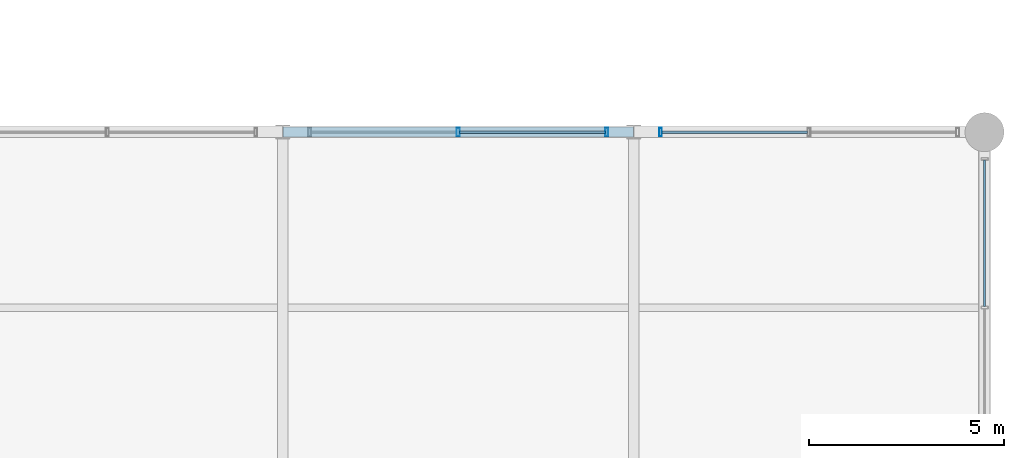
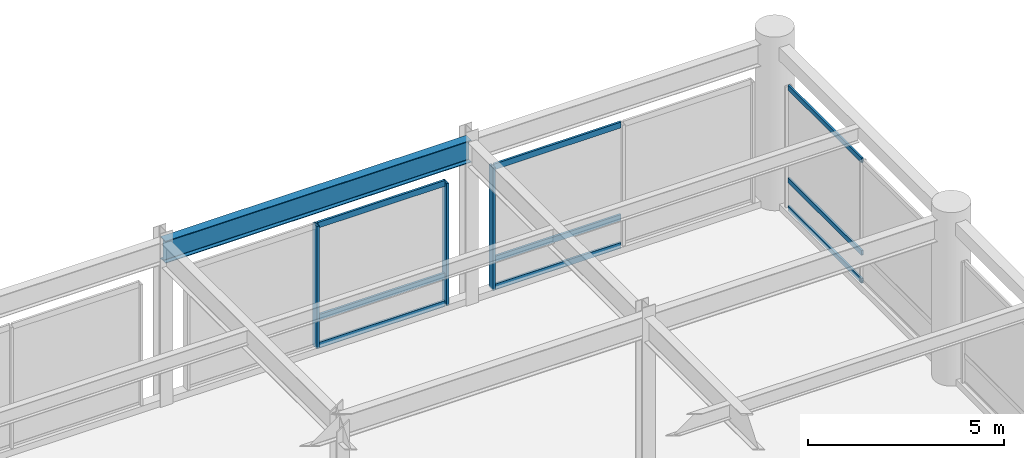
# One storey, part 55 of 100: 12 members, 1 beam, 3 elements without a shape of their own.
"""IFC4 building model written with IfcOpenShell, lengths in metres."""

from ifc_helpers import new_model, si_unit, direction, frame, origin, origin_2d, place, context, subcontext, project, spatial, hollow_rectangle, i_section, extrude, material, material_profile, profile_set, type_object, element, aggregate, save


model = new_model("IFC4")

# Units and contexts
model_context = context("Model", 3, precision=1e-05, world=origin(), true_north=direction((0.0, 1.0)))
body_context = subcontext(model_context, "Body", "Model", "MODEL_VIEW")
ifc_project = project(units=[si_unit("LENGTHUNIT", "METRE"), si_unit("AREAUNIT", "SQUARE_METRE"), si_unit("VOLUMEUNIT", "CUBIC_METRE"), si_unit("PLANEANGLEUNIT", "RADIAN"), si_unit("MASSUNIT", "GRAM", prefix="KILO")], contexts=[model_context])

# Site, building, storey
site_placement = place(None, origin())
site = spatial("IfcSite", under=ifc_project, at=site_placement, CompositionType="ELEMENT")
building_placement = place(site_placement, origin())
building = spatial("IfcBuilding", under=site, at=building_placement, Name="Kaldorvane Square Convention Centre", CompositionType="ELEMENT")
storey_placement = place(building_placement, frame((0.0, 0.0, 18.0)))
storey = spatial("IfcBuildingStorey", under=building, at=storey_placement, Name="L03", CompositionType="ELEMENT", Elevation=18.0)

# Beam
ifc_material_1 = material(Name="Steel ASTM A992 Gr. 50", Category="steel")
ifc_material_profile_1 = material_profile(ifc_material_1, i_section(OverallWidth=0.25439453125, OverallDepth=0.6880950927734375, WebThickness=0.0131072998046875, FlangeThickness=0.0211029052734375, FilletRadius=0.01519775390625, at=origin_2d()), Name="W27X102")
ifc_profile_set_1 = profile_set([ifc_material_profile_1], Name="Steel ASTM A992 Gr. 50")
beam_type = type_object("IfcBeamType", Name="BM-GR-W27X102", PredefinedType="BEAM", material=ifc_profile_set_1)
beam_placement = place(storey_placement, frame((156.0, 36.0, 4.731903076171875), z_axis=(1.0, 0.0, 0.0), x_axis=(0.0, 1.0, 0.0)))
element("IfcBeam", 1, at=beam_placement, inside=storey, type_object=beam_type, Name="Primary Girder (L03)", PredefinedType="BEAM", context=body_context, shape_type="SweptSolid", body=[
    extrude(i_section(OverallWidth=0.25439453125, OverallDepth=0.6880950927734375, WebThickness=0.0131072998046875, FlangeThickness=0.0211029052734375, FilletRadius=0.01519775390625, at=origin_2d()), origin(), (0.0, 0.0, 1.0), 9.0),
])

# Curtain wall, members
ifc_material_2 = material(Name="Anodized Aluminum and Low-E Insulated Glazing", Category="aluminium")
curtain_wall_type_1 = type_object("IfcCurtainWallType", Name="CW-PTS-FC-54", PredefinedType="USERDEFINED", material=ifc_material_2)
curtain_wall_1_placement = place(storey_placement, origin())
curtain_wall_1 = element("IfcCurtainWall", 2, at=curtain_wall_1_placement, inside=storey, type_object=curtain_wall_type_1, Name="Curtain Wall CW-08 (L03)", ObjectType="POINT SUPPORTED GLAZING", PredefinedType="USERDEFINED")
ifc_material_profile_2 = material_profile(ifc_material_2, hollow_rectangle(XDim=0.0749969482421875, YDim=0.220001220703125, WallThickness=0.003997802734375, at=origin_2d()), Name="CWM-220X75")
ifc_profile_set_2 = profile_set([ifc_material_profile_2], Name="Anodized Aluminum and Low-E Insulated Glazing")
member_type_1 = type_object("IfcMemberType", Name="CW-MUL-220", PredefinedType="MULLION", material=ifc_profile_set_2)
member_1_placement = place(storey_placement, frame((164.3125, 36.0, 0.149993896484375), z_axis=(0.0, 0.0, 1.0), x_axis=(-1.0, 0.0, 0.0)))
member_1 = element("IfcMember", 3, at=member_1_placement, type_object=member_type_1, Name="CW-08 mullion 1", PredefinedType="MULLION", context=body_context, shape_type="SweptSolid", body=[
    extrude(hollow_rectangle(XDim=0.0749969482421875, YDim=0.220001220703125, WallThickness=0.003997802734375, at=origin_2d()), origin(), (0.0, 0.0, 1.0), 3.8100128173828125),
])
member_2_placement = place(storey_placement, frame((160.5, 36.0, 0.149993896484375), z_axis=(0.0, 0.0, 1.0), x_axis=(-1.0, 0.0, 0.0)))
member_2 = element("IfcMember", 4, at=member_2_placement, type_object=member_type_1, Name="CW-08 mullion 2", PredefinedType="MULLION", context=body_context, shape_type="SweptSolid", body=[
    extrude(hollow_rectangle(XDim=0.0749969482421875, YDim=0.220001220703125, WallThickness=0.003997802734375, at=origin_2d()), origin(), (0.0, 0.0, 1.0), 3.8100128173828125),
])

# Curtain wall, member
curtain_wall_2_placement = place(storey_placement, origin())
curtain_wall_2 = element("IfcCurtainWall", 5, at=curtain_wall_2_placement, inside=storey, type_object=curtain_wall_type_1, Name="Curtain Wall CW-08 (L03)", ObjectType="POINT SUPPORTED GLAZING", PredefinedType="USERDEFINED")
member_3_placement = place(storey_placement, frame((165.6875, 36.0, 0.149993896484375), z_axis=(0.0, 0.0, 1.0), x_axis=(-1.0, 0.0, 0.0)))
member_3 = element("IfcMember", 6, at=member_3_placement, type_object=member_type_1, Name="CW-08 mullion 3", PredefinedType="MULLION", context=body_context, shape_type="SweptSolid", body=[
    extrude(hollow_rectangle(XDim=0.0749969482421875, YDim=0.220001220703125, WallThickness=0.003997802734375, at=origin_2d()), origin(), (0.0, 0.0, 1.0), 3.8100128173828125),
])

# Curtain wall, members
curtain_wall_type_2 = type_object("IfcCurtainWallType", Name="CW-UNI-P54-09", PredefinedType="USERDEFINED", material=ifc_material_2)
curtain_wall_3_placement = place(storey_placement, origin())
curtain_wall_3 = element("IfcCurtainWall", 7, at=curtain_wall_3_placement, inside=storey, type_object=curtain_wall_type_2, Name="Curtain Wall CW-04 (L03)", ObjectType="UNITISED GLAZING", PredefinedType="USERDEFINED")
ifc_material_profile_3 = material_profile(ifc_material_2, hollow_rectangle(XDim=0.05999755859375, YDim=0.149993896484375, WallThickness=0.003204345703125, at=origin_2d()), Name="CWT-150X60")
ifc_profile_set_3 = profile_set([ifc_material_profile_3], Name="Anodized Aluminum and Low-E Insulated Glazing")
member_type_2 = type_object("IfcMemberType", Name="CW-TRN-150", PredefinedType="USERDEFINED", material=ifc_profile_set_3)
member_4_placement = place(storey_placement, frame((174.0, 31.532501220703125, 0.17999267578125), z_axis=(0.0, 1.0, 0.0), x_axis=(-1.0, 0.0, 0.0)))
member_4 = element("IfcMember", 8, at=member_4_placement, type_object=member_type_2, Name="CW-04 transom 2.1", ObjectType="TRANSOM", PredefinedType="USERDEFINED", context=body_context, shape_type="SweptSolid", body=[
    extrude(hollow_rectangle(XDim=0.05999755859375, YDim=0.149993896484375, WallThickness=0.003204345703125, at=origin_2d()), origin(), (0.0, 0.0, 1.0), 3.75250244140625),
])
member_5_placement = place(storey_placement, frame((174.0, 31.532501220703125, 1.0500030517578125), z_axis=(0.0, 1.0, 0.0), x_axis=(-1.0, 0.0, 0.0)))
member_5 = element("IfcMember", 9, at=member_5_placement, type_object=member_type_2, Name="CW-04 transom 2.2", ObjectType="TRANSOM", PredefinedType="USERDEFINED", context=body_context, shape_type="SweptSolid", body=[
    extrude(hollow_rectangle(XDim=0.05999755859375, YDim=0.149993896484375, WallThickness=0.003204345703125, at=origin_2d()), origin(), (0.0, 0.0, 1.0), 3.75250244140625),
])
member_6_placement = place(storey_placement, frame((174.0, 31.532501220703125, 3.92999267578125), z_axis=(0.0, 1.0, 0.0), x_axis=(-1.0, 0.0, 0.0)))
member_6 = element("IfcMember", 10, at=member_6_placement, type_object=member_type_2, Name="CW-04 transom 2.3", ObjectType="TRANSOM", PredefinedType="USERDEFINED", context=body_context, shape_type="SweptSolid", body=[
    extrude(hollow_rectangle(XDim=0.05999755859375, YDim=0.149993896484375, WallThickness=0.003204345703125, at=origin_2d()), origin(), (0.0, 0.0, 1.0), 3.75250244140625),
])
aggregate(curtain_wall_3, [member_4, member_5, member_6])

# Member
ifc_material_profile_4 = material_profile(ifc_material_2, hollow_rectangle(XDim=0.06500244140625, YDim=0.17999267578125, WallThickness=0.0034942626953125, at=origin_2d()), Name="CWT-180X65")
ifc_profile_set_4 = profile_set([ifc_material_profile_4], Name="Anodized Aluminum and Low-E Insulated Glazing")
member_type_3 = type_object("IfcMemberType", Name="CW-TRN-180", PredefinedType="USERDEFINED", material=ifc_profile_set_4)
member_7_placement = place(storey_placement, frame((164.27499389648438, 36.0, 0.1824951171875), z_axis=(-1.0, 0.0, 0.0), x_axis=(0.0, -1.0, 0.0)))
member_7 = element("IfcMember", 11, at=member_7_placement, type_object=member_type_3, Name="CW-08 transom 1.1", ObjectType="TRANSOM", PredefinedType="USERDEFINED", context=body_context, shape_type="SweptSolid", body=[
    extrude(hollow_rectangle(XDim=0.06500244140625, YDim=0.17999267578125, WallThickness=0.0034942626953125, at=origin_2d()), origin(), (0.0, 0.0, 1.0), 3.73748779296875),
])

member_8_placement = place(storey_placement, frame((164.27499389648438, 36.0, 1.0500030517578125), z_axis=(-1.0, 0.0, 0.0), x_axis=(0.0, -1.0, 0.0)))
member_8 = element("IfcMember", 12, at=member_8_placement, type_object=member_type_3, Name="CW-08 transom 1.2", ObjectType="TRANSOM", PredefinedType="USERDEFINED", context=body_context, shape_type="SweptSolid", body=[
    extrude(hollow_rectangle(XDim=0.06500244140625, YDim=0.17999267578125, WallThickness=0.0034942626953125, at=origin_2d()), origin(), (0.0, 0.0, 1.0), 3.73748779296875),
])

member_9_placement = place(storey_placement, frame((164.27499389648438, 36.0, 3.9275054931640625), z_axis=(-1.0, 0.0, 0.0), x_axis=(0.0, -1.0, 0.0)))
member_9 = element("IfcMember", 13, at=member_9_placement, type_object=member_type_3, Name="CW-08 transom 1.3", ObjectType="TRANSOM", PredefinedType="USERDEFINED", context=body_context, shape_type="SweptSolid", body=[
    extrude(hollow_rectangle(XDim=0.06500244140625, YDim=0.17999267578125, WallThickness=0.0034942626953125, at=origin_2d()), origin(), (0.0, 0.0, 1.0), 3.73748779296875),
])

aggregate(curtain_wall_1, [member_1, member_2, member_7, member_8, member_9])

member_10_placement = place(storey_placement, frame((169.46249389648438, 36.0, 0.1824951171875), z_axis=(-1.0, 0.0, 0.0), x_axis=(0.0, -1.0, 0.0)))
member_10 = element("IfcMember", 14, at=member_10_placement, type_object=member_type_3, Name="CW-08 transom 2.1", ObjectType="TRANSOM", PredefinedType="USERDEFINED", context=body_context, shape_type="SweptSolid", body=[
    extrude(hollow_rectangle(XDim=0.06500244140625, YDim=0.17999267578125, WallThickness=0.0034942626953125, at=origin_2d()), origin(), (0.0, 0.0, 1.0), 3.73748779296875),
])

member_11_placement = place(storey_placement, frame((169.46249389648438, 36.0, 1.0500030517578125), z_axis=(-1.0, 0.0, 0.0), x_axis=(0.0, -1.0, 0.0)))
member_11 = element("IfcMember", 15, at=member_11_placement, type_object=member_type_3, Name="CW-08 transom 2.2", ObjectType="TRANSOM", PredefinedType="USERDEFINED", context=body_context, shape_type="SweptSolid", body=[
    extrude(hollow_rectangle(XDim=0.06500244140625, YDim=0.17999267578125, WallThickness=0.0034942626953125, at=origin_2d()), origin(), (0.0, 0.0, 1.0), 3.73748779296875),
])

member_12_placement = place(storey_placement, frame((169.46249389648438, 36.0, 3.9275054931640625), z_axis=(-1.0, 0.0, 0.0), x_axis=(0.0, -1.0, 0.0)))
member_12 = element("IfcMember", 16, at=member_12_placement, type_object=member_type_3, Name="CW-08 transom 2.3", ObjectType="TRANSOM", PredefinedType="USERDEFINED", context=body_context, shape_type="SweptSolid", body=[
    extrude(hollow_rectangle(XDim=0.06500244140625, YDim=0.17999267578125, WallThickness=0.0034942626953125, at=origin_2d()), origin(), (0.0, 0.0, 1.0), 3.73748779296875),
])

aggregate(curtain_wall_2, [member_3, member_10, member_11, member_12])

save(model, "model.ifc")
